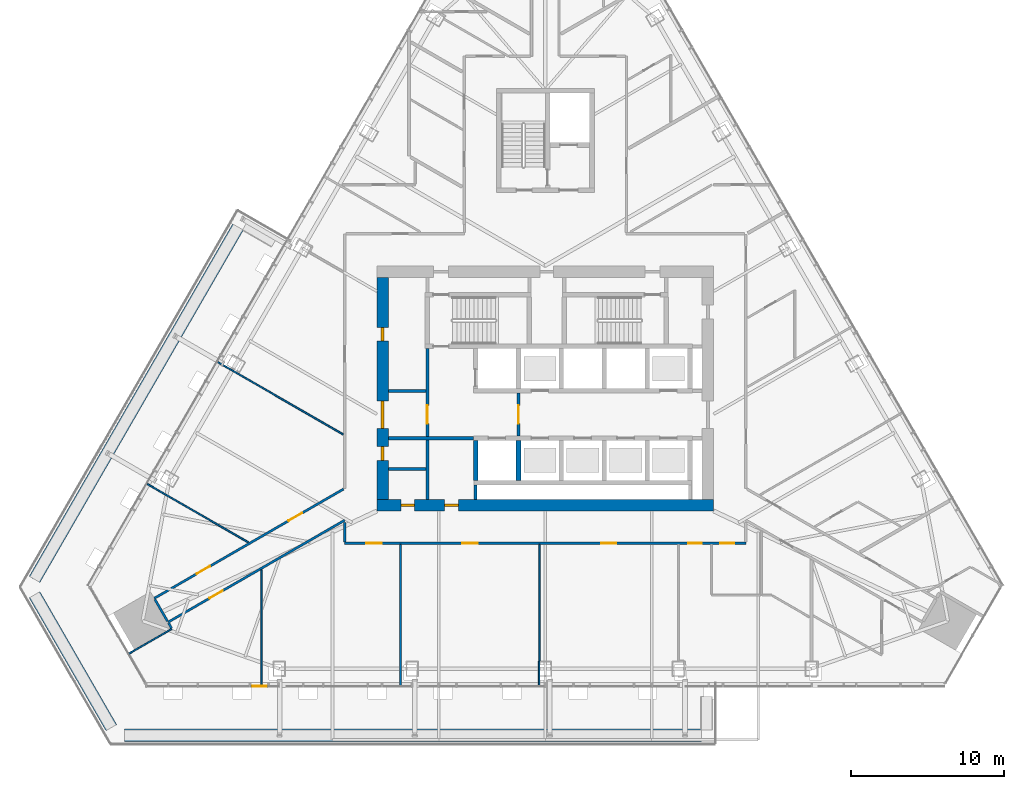
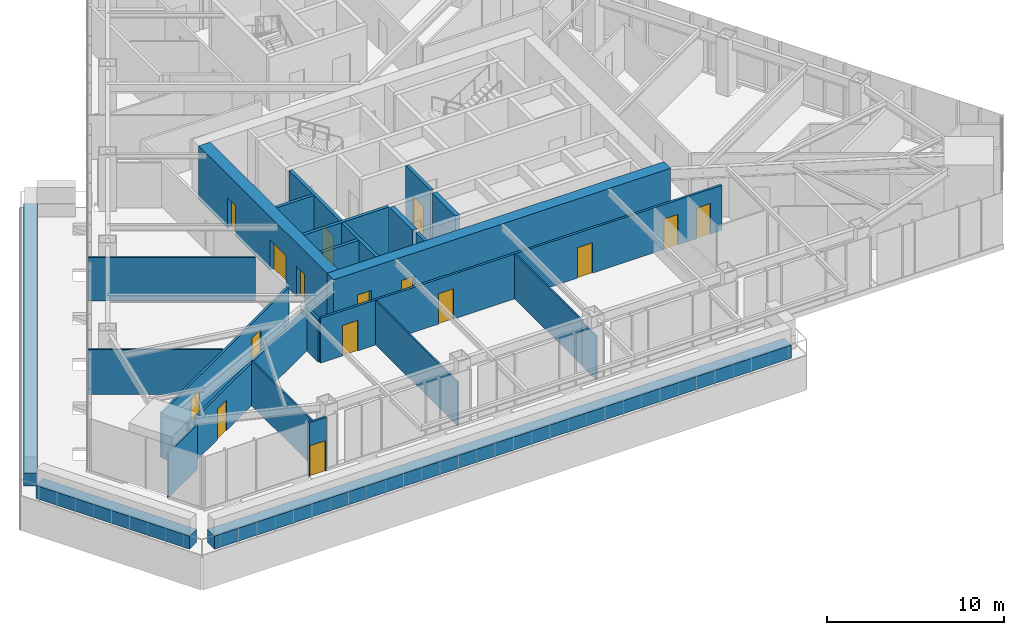
# One storey, part 15 of 23: 28 walls, 16 doors, 16 openings, 1 element without a shape of its own.
"""IFC4 building model written with IfcOpenShell, lengths in metres."""

from ifc_helpers import new_model, si_unit, direction, frame, frame_2d, origin, place, context, subcontext, project, spatial, rectangle, extrude, material, layer, layer_set, type_object, element, fill, aggregate, save


model = new_model("IFC4")

# Units and contexts
model_context = context("Model", 3, precision=1e-05, world=origin(), true_north=direction((0.0, 1.0)))
body_context = subcontext(model_context, "Body", "Model", "MODEL_VIEW")
ifc_project = project(units=[si_unit("LENGTHUNIT", "METRE"), si_unit("AREAUNIT", "SQUARE_METRE"), si_unit("VOLUMEUNIT", "CUBIC_METRE"), si_unit("PLANEANGLEUNIT", "RADIAN"), si_unit("MASSUNIT", "GRAM", prefix="KILO")], contexts=[model_context])

# Site, building, storey
site_placement = place(None, origin())
site = spatial("IfcSite", under=ifc_project, at=site_placement, CompositionType="ELEMENT")
building_placement = place(site_placement, origin())
building = spatial("IfcBuilding", under=site, at=building_placement, Name="Firuza Gate Tower and Library", CompositionType="ELEMENT")
storey_placement = place(building_placement, frame((0.0, 0.0, 190.89990234375)))
storey = spatial("IfcBuildingStorey", under=building, at=storey_placement, Name="L44", CompositionType="ELEMENT", Elevation=190.89990234375)

# Walls
ifc_material_1 = material(Name="Plasterboard on steel studs", Category="steel")
ifc_layer_1 = layer(ifc_material_1, 0.199951171875)
ifc_layer_set_1 = layer_set([ifc_layer_1], Name="Core partition 200 EI 120")
wall_type_1 = type_object("IfcWallType", Name="Core partition 200 EI 120", PredefinedType="PARTITIONING", material=ifc_layer_set_1)
wall_1_placement = place(storey_placement, frame((64.75, 71.75, 0.0), z_axis=(0.0, 0.0, 1.0), x_axis=(1.0, 0.0, 0.0)))
element("IfcWall", 1, at=wall_1_placement, inside=storey, type_object=wall_type_1, Name="Core partition L44 2", PredefinedType="PARTITIONING", context=body_context, shape_type="SweptSolid", body=[
    extrude(rectangle(XDim=5.550048828125, YDim=0.199951171875, at=frame_2d((2.77490234375, 0.0))), origin(), (0.0, 0.0, 1.0), 3.7001953125),
])
wall_2_placement = place(storey_placement, frame((64.75, 74.85009765625, 0.0), z_axis=(0.0, 0.0, 1.0), x_axis=(1.0, 0.0, 0.0)))
element("IfcWall", 2, at=wall_2_placement, inside=storey, type_object=wall_type_1, Name="Core partition L44 4", PredefinedType="PARTITIONING", context=body_context, shape_type="SweptSolid", body=[
    extrude(rectangle(XDim=2.449951171875, YDim=0.199951171875, at=frame_2d((1.22509765625, 0.0))), origin(), (0.0, 0.0, 1.0), 3.7001953125),
])
wall_3_placement = place(storey_placement, frame((67.300048828125, 67.75, 0.0), z_axis=(0.0, 0.0, 1.0), x_axis=(0.0, 1.0, 0.0)))
element("IfcWall", 3, at=wall_3_placement, inside=storey, type_object=wall_type_1, Name="Core partition L44 7", PredefinedType="PARTITIONING", context=body_context, shape_type="SweptSolid", body=[
    extrude(rectangle(XDim=3.89990234375, YDim=0.199951171875, at=frame_2d((1.949951171875, 0.0))), origin(), (0.0, 0.0, 1.0), 3.7001953125),
])

# Wall, opening, door
wall_4_placement = place(storey_placement, frame((67.300048828125, 71.85009765625, 0.0), z_axis=(0.0, 0.0, 1.0), x_axis=(0.0, 1.0, 0.0)))
wall_4 = element("IfcWall", 4, at=wall_4_placement, inside=storey, type_object=wall_type_1, Name="Core partition L44 8", PredefinedType="PARTITIONING", context=body_context, shape_type="SweptSolid", body=[
    extrude(rectangle(XDim=5.75, YDim=0.199951171875, at=frame_2d((2.875, 0.0))), origin(), (0.0, 0.0, 1.0), 3.7001953125),
])
opening_1_placement = place(wall_4_placement, frame((0.85009765625, 0.0, 0.0)))
opening_1 = element("IfcOpeningElement", 5, at=opening_1_placement, cuts=wall_4, Name="Opening L44-K19", PredefinedType="OPENING", context=body_context, shape_type="SweptSolid", body=[
    extrude(rectangle(XDim=1.199951171875, YDim=2.10009765625, at=frame_2d((0.60009765625, 1.050048828125))), frame((0.0, 0.10986328125, 0.0), z_axis=(0.0, -1.0, 0.0), x_axis=(1.0, 0.0, 0.0)), (0.0, 0.0, 1.0), 0.219970703125),
])
ifc_material_2 = material(Name="Steel", Category="steel")
door_type_1 = type_object("IfcDoorType", Name="Fire door 1200x2100 FD90S", OperationType="NOTDEFINED", PredefinedType="DOOR", material=ifc_material_2)
door_1_placement = place(opening_1_placement, origin())
door_1 = element("IfcDoor", 6, at=door_1_placement, inside=storey, type_object=door_type_1, Name="Door L44-K19", OperationType="SINGLE_SWING_RIGHT", OverallHeight=2.10009765625, OverallWidth=1.199951171875, PredefinedType="DOOR", context=body_context, shape_type="SweptSolid", body=[
    extrude(rectangle(XDim=1.199951171875, YDim=2.10009765625, at=frame_2d((0.60009765625, 1.050048828125))), frame((0.0, 0.02490234375, 0.0), z_axis=(0.0, -1.0, 0.0), x_axis=(1.0, 0.0, 0.0)), (0.0, 0.0, 1.0), 0.050048828125),
])
fill(opening_1, door_1)

# Walls
wall_5_placement = place(storey_placement, frame((70.449951171875, 67.75, 0.0), z_axis=(0.0, 0.0, 1.0), x_axis=(0.0, 1.0, 0.0)))
element("IfcWall", 7, at=wall_5_placement, inside=storey, type_object=wall_type_1, Name="Core partition L44 10", PredefinedType="PARTITIONING", context=body_context, shape_type="SweptSolid", body=[
    extrude(rectangle(XDim=0.949951171875, YDim=0.199951171875, at=frame_2d((0.47509765625, 0.0))), origin(), (0.0, 0.0, 1.0), 3.7001953125),
])
ifc_material_3 = material(Name="Plasterboard on steel studs", Category="steel")
ifc_layer_2 = layer(ifc_material_3, 0.199951171875)
ifc_layer_set_2 = layer_set([ifc_layer_2], Name="Core partition 200 EI 60")
wall_type_2 = type_object("IfcWallType", Name="Core partition 200 EI 60", PredefinedType="PARTITIONING", material=ifc_layer_set_2)
wall_6_placement = place(storey_placement, frame((64.75, 69.75, 0.0), z_axis=(0.0, 0.0, 1.0), x_axis=(1.0, 0.0, 0.0)))
element("IfcWall", 8, at=wall_6_placement, inside=storey, type_object=wall_type_2, Name="Core partition L44 1", PredefinedType="PARTITIONING", context=body_context, shape_type="SweptSolid", body=[
    extrude(rectangle(XDim=2.449951171875, YDim=0.199951171875, at=frame_2d((1.22509765625, 0.0))), origin(), (0.0, 0.0, 1.0), 3.7001953125),
])

# Wall, opening, door
wall_7_placement = place(storey_placement, frame((73.25, 71.89990234375, 0.0), z_axis=(0.0, 0.0, 1.0), x_axis=(0.0, 1.0, 0.0)))
wall_7 = element("IfcWall", 9, at=wall_7_placement, inside=storey, type_object=wall_type_2, Name="Core partition L44 11", PredefinedType="PARTITIONING", context=body_context, shape_type="SweptSolid", body=[
    extrude(rectangle(XDim=2.800048828125, YDim=0.199951171875, at=frame_2d((1.39990234375, 0.0))), origin(), (0.0, 0.0, 1.0), 3.7001953125),
])
opening_2_placement = place(wall_7_placement, frame((0.800048828125, 0.0, 0.0)))
opening_2 = element("IfcOpeningElement", 10, at=opening_2_placement, cuts=wall_7, Name="Opening L44-K18", PredefinedType="OPENING", context=body_context, shape_type="SweptSolid", body=[
    extrude(rectangle(XDim=1.199951171875, YDim=2.10009765625, at=frame_2d((0.60009765625, 1.050048828125))), frame((0.0, 0.10986328125, 0.0), z_axis=(0.0, -1.0, 0.0), x_axis=(1.0, 0.0, 0.0)), (0.0, 0.0, 1.0), 0.219970703125),
])
door_2_placement = place(opening_2_placement, origin())
door_2 = element("IfcDoor", 11, at=door_2_placement, inside=storey, type_object=door_type_1, Name="Door L44-K18", OperationType="SINGLE_SWING_LEFT", OverallHeight=2.10009765625, OverallWidth=1.199951171875, PredefinedType="DOOR", context=body_context, shape_type="SweptSolid", body=[
    extrude(rectangle(XDim=1.199951171875, YDim=2.10009765625, at=frame_2d((0.60009765625, 1.050048828125))), frame((0.0, 0.02490234375, 0.0), z_axis=(0.0, -1.0, 0.0), x_axis=(1.0, 0.0, 0.0)), (0.0, 0.0, 1.0), 0.050048828125),
])
fill(opening_2, door_2)

# Walls
ifc_material_4 = material(Name="Concrete C80/95", Category="concrete")
ifc_layer_3 = layer(ifc_material_4, 0.300048828125)
ifc_layer_set_3 = layer_set([ifc_layer_3], Name="Core wall 300 C80/95")
wall_type_3 = type_object("IfcWallType", Name="Core wall 300 C80/95", PredefinedType="SHEAR", material=ifc_layer_set_3)
for number, where, z_axis, x_axis, name in (
    (12, (70.449951171875, 69.0, 0.0), (0.0, 0.0, 1.0), (0.0, 1.0, 0.0), "Core wall L44 8"),
    (13, (73.25, 69.0, 0.0), (0.0, 0.0, 1.0), (0.0, 1.0, 0.0), "Core wall L44 10"),
):
    element("IfcWall", number, at=place(storey_placement, frame(where, z_axis=z_axis, x_axis=x_axis)), inside=storey, type_object=wall_type_3, Name=name, PredefinedType="SHEAR", context=body_context, shape_type="SweptSolid", body=[
        extrude(rectangle(XDim=2.60009765625, YDim=0.300048828125, at=frame_2d((1.300048828125, 0.0))), origin(), (0.0, 0.0, 1.0), 3.7001953125),
    ])

# Wall, openings, doors
ifc_material_5 = material(Name="Concrete C80/95", Category="concrete")
ifc_layer_4 = layer(ifc_material_5, 0.75)
ifc_layer_set_4 = layer_set([ifc_layer_4], Name="Core wall 750 C80/95")
wall_type_4 = type_object("IfcWallType", Name="Core wall 750 C80/95", PredefinedType="SHEAR", material=ifc_layer_set_4)
wall_8_placement = place(storey_placement, frame((64.0, 67.375, 0.0), z_axis=(0.0, 0.0, 1.0), x_axis=(1.0, 0.0, 0.0)))
wall_8 = element("IfcWall", 14, at=wall_8_placement, inside=storey, type_object=wall_type_4, Name="Core wall L44 1", PredefinedType="SHEAR", context=body_context, shape_type="SweptSolid", body=[
    extrude(rectangle(XDim=22.0, YDim=0.75, at=frame_2d((11.0, 0.0))), origin(), (0.0, 0.0, 1.0), 3.7001953125),
])
opening_3_placement = place(wall_8_placement, frame((1.574951171875, 0.0, 0.0)))
opening_3 = element("IfcOpeningElement", 15, at=opening_3_placement, cuts=wall_8, Name="Opening L44-K22", PredefinedType="OPENING", context=body_context, shape_type="SweptSolid", body=[
    extrude(rectangle(XDim=0.89990234375, YDim=2.10009765625, at=frame_2d((0.449951171875, 1.050048828125))), frame((0.0, 0.385009765625, 0.0), z_axis=(0.0, -1.0, 0.0), x_axis=(1.0, 0.0, 0.0)), (0.0, 0.0, 1.0), 0.77001953125),
])
opening_4_placement = place(wall_8_placement, frame((4.425048828125, 0.0, 0.0)))
opening_4 = element("IfcOpeningElement", 16, at=opening_4_placement, cuts=wall_8, Name="Opening L44-K24", PredefinedType="OPENING", context=body_context, shape_type="SweptSolid", body=[
    extrude(rectangle(XDim=0.89990234375, YDim=2.10009765625, at=frame_2d((0.449951171875, 1.050048828125))), frame((0.0, 0.385009765625, 0.0), z_axis=(0.0, -1.0, 0.0), x_axis=(1.0, 0.0, 0.0)), (0.0, 0.0, 1.0), 0.77001953125),
])
ifc_material_6 = material(Name="Steel", Category="steel")
door_type_2 = type_object("IfcDoorType", Name="Fire door 900x2100 FD30S", OperationType="NOTDEFINED", PredefinedType="DOOR", material=ifc_material_6)
door_3_placement = place(opening_3_placement, origin())
door_3 = element("IfcDoor", 17, at=door_3_placement, inside=storey, type_object=door_type_2, Name="Door L44-K22", OperationType="SINGLE_SWING_LEFT", OverallHeight=2.10009765625, OverallWidth=0.89990234375, PredefinedType="DOOR", context=body_context, shape_type="SweptSolid", body=[
    extrude(rectangle(XDim=0.89990234375, YDim=2.10009765625, at=frame_2d((0.449951171875, 1.050048828125))), frame((0.0, 0.094970703125, 0.0), z_axis=(0.0, -1.0, 0.0), x_axis=(1.0, 0.0, 0.0)), (0.0, 0.0, 1.0), 0.18994140625),
])
fill(opening_3, door_3)
door_4_placement = place(opening_4_placement, origin())
door_4 = element("IfcDoor", 18, at=door_4_placement, inside=storey, type_object=door_type_2, Name="Door L44-K24", OperationType="SINGLE_SWING_LEFT", OverallHeight=2.10009765625, OverallWidth=0.89990234375, PredefinedType="DOOR", context=body_context, shape_type="SweptSolid", body=[
    extrude(rectangle(XDim=0.89990234375, YDim=2.10009765625, at=frame_2d((0.449951171875, 1.050048828125))), frame((0.0, 0.094970703125, 0.0), z_axis=(0.0, -1.0, 0.0), x_axis=(1.0, 0.0, 0.0)), (0.0, 0.0, 1.0), 0.18994140625),
])
fill(opening_4, door_4)

wall_9_placement = place(storey_placement, frame((64.375, 67.75, 0.0), z_axis=(0.0, 0.0, 1.0), x_axis=(0.0, 1.0, 0.0)))
wall_9 = element("IfcWall", 19, at=wall_9_placement, inside=storey, type_object=wall_type_4, Name="Core wall L44 3", PredefinedType="SHEAR", context=body_context, shape_type="SweptSolid", body=[
    extrude(rectangle(XDim=14.5, YDim=0.75, at=frame_2d((7.25, 0.0))), origin(), (0.0, 0.0, 1.0), 3.7001953125),
])
opening_5_placement = place(wall_9_placement, frame((4.64990234375, 0.0, 0.0)))
opening_5 = element("IfcOpeningElement", 20, at=opening_5_placement, cuts=wall_9, Name="Opening L44-K20", PredefinedType="OPENING", context=body_context, shape_type="SweptSolid", body=[
    extrude(rectangle(XDim=1.800048828125, YDim=2.10009765625, at=frame_2d((0.89990234375, 1.050048828125))), frame((0.0, 0.385009765625, 0.0), z_axis=(0.0, -1.0, 0.0), x_axis=(1.0, 0.0, 0.0)), (0.0, 0.0, 1.0), 0.77001953125),
])
opening_6_placement = place(wall_9_placement, frame((2.550048828125, 0.0, 0.0)))
opening_6 = element("IfcOpeningElement", 21, at=opening_6_placement, cuts=wall_9, Name="Opening L44-K23", PredefinedType="OPENING", context=body_context, shape_type="SweptSolid", body=[
    extrude(rectangle(XDim=0.89990234375, YDim=2.10009765625, at=frame_2d((0.449951171875, 1.050048828125))), frame((0.0, 0.385009765625, 0.0), z_axis=(0.0, -1.0, 0.0), x_axis=(1.0, 0.0, 0.0)), (0.0, 0.0, 1.0), 0.77001953125),
])
opening_7_placement = place(wall_9_placement, frame((10.35009765625, 0.0, 0.0)))
opening_7 = element("IfcOpeningElement", 22, at=opening_7_placement, cuts=wall_9, Name="Opening L44-K25", PredefinedType="OPENING", context=body_context, shape_type="SweptSolid", body=[
    extrude(rectangle(XDim=0.89990234375, YDim=2.10009765625, at=frame_2d((0.449951171875, 1.050048828125))), frame((0.0, 0.385009765625, 0.0), z_axis=(0.0, -1.0, 0.0), x_axis=(1.0, 0.0, 0.0)), (0.0, 0.0, 1.0), 0.77001953125),
])
ifc_material_7 = material(Name="Steel", Category="steel")
door_type_3 = type_object("IfcDoorType", Name="Fire door 1800x2100 FD30S", OperationType="NOTDEFINED", PredefinedType="DOOR", material=ifc_material_7)
door_5_placement = place(opening_5_placement, origin())
door_5 = element("IfcDoor", 23, at=door_5_placement, inside=storey, type_object=door_type_3, Name="Door L44-K20", OperationType="SINGLE_SWING_LEFT", OverallHeight=2.10009765625, OverallWidth=1.800048828125, PredefinedType="DOOR", context=body_context, shape_type="SweptSolid", body=[
    extrude(rectangle(XDim=1.800048828125, YDim=2.10009765625, at=frame_2d((0.89990234375, 1.050048828125))), frame((0.0, 0.094970703125, 0.0), z_axis=(0.0, -1.0, 0.0), x_axis=(1.0, 0.0, 0.0)), (0.0, 0.0, 1.0), 0.18994140625),
])
fill(opening_5, door_5)
door_6_placement = place(opening_6_placement, origin())
door_6 = element("IfcDoor", 24, at=door_6_placement, inside=storey, type_object=door_type_2, Name="Door L44-K23", OperationType="SINGLE_SWING_RIGHT", OverallHeight=2.10009765625, OverallWidth=0.89990234375, PredefinedType="DOOR", context=body_context, shape_type="SweptSolid", body=[
    extrude(rectangle(XDim=0.89990234375, YDim=2.10009765625, at=frame_2d((0.449951171875, 1.050048828125))), frame((0.0, 0.094970703125, 0.0), z_axis=(0.0, -1.0, 0.0), x_axis=(1.0, 0.0, 0.0)), (0.0, 0.0, 1.0), 0.18994140625),
])
fill(opening_6, door_6)
door_7_placement = place(opening_7_placement, origin())
door_7 = element("IfcDoor", 25, at=door_7_placement, inside=storey, type_object=door_type_2, Name="Door L44-K25", OperationType="SINGLE_SWING_RIGHT", OverallHeight=2.10009765625, OverallWidth=0.89990234375, PredefinedType="DOOR", context=body_context, shape_type="SweptSolid", body=[
    extrude(rectangle(XDim=0.89990234375, YDim=2.10009765625, at=frame_2d((0.449951171875, 1.050048828125))), frame((0.0, 0.094970703125, 0.0), z_axis=(0.0, -1.0, 0.0), x_axis=(1.0, 0.0, 0.0)), (0.0, 0.0, 1.0), 0.18994140625),
])
fill(opening_7, door_7)

ifc_material_8 = material(Name="Gypsum board partition")
ifc_layer_5 = layer(ifc_material_8, 0.14990234375)
ifc_layer_set_5 = layer_set([ifc_layer_5], Name="Corridor wall 150 double board on steel studs")
wall_type_5 = type_object("IfcWallType", Name="Corridor wall 150 double board on steel studs", PredefinedType="PARTITIONING", material=ifc_layer_set_5)
wall_10_placement = place(storey_placement, frame((88.10009765625, 64.89990234375, 0.0), z_axis=(0.0, 0.0, 1.0), x_axis=(-1.0, 0.0, 0.0)))
wall_10 = element("IfcWall", 26, at=wall_10_placement, inside=storey, type_object=wall_type_5, Name="f:L44:w004", PredefinedType="PARTITIONING", context=body_context, shape_type="SweptSolid", body=[
    extrude(rectangle(XDim=26.19970703125, YDim=0.14990234375, at=frame_2d((13.099853515625, 0.0))), origin(), (0.0, 0.0, 1.0), 3.10009765625),
])
opening_8_placement = place(wall_10_placement, frame((0.77294921875, 0.0, 0.0)))
opening_8 = element("IfcOpeningElement", 27, at=opening_8_placement, cuts=wall_10, Name="Opening L44-01", PredefinedType="OPENING", context=body_context, shape_type="SweptSolid", body=[
    extrude(rectangle(XDim=0.89990234375, YDim=2.10009765625, at=frame_2d((0.449951171875, 1.050048828125))), frame((0.0, 0.0849609375, 0.0), z_axis=(0.0, -1.0, 0.0), x_axis=(1.0, 0.0, 0.0)), (0.0, 0.0, 1.0), 0.169921875),
])
opening_9_placement = place(wall_10_placement, frame((2.87841796875, 0.0, 0.0)))
opening_9 = element("IfcOpeningElement", 28, at=opening_9_placement, cuts=wall_10, Name="Opening L44-02", PredefinedType="OPENING", context=body_context, shape_type="SweptSolid", body=[
    extrude(rectangle(XDim=0.89990234375, YDim=2.10009765625, at=frame_2d((0.449951171875, 1.050048828125))), frame((0.0, 0.0849609375, 0.0), z_axis=(0.0, -1.0, 0.0), x_axis=(1.0, 0.0, 0.0)), (0.0, 0.0, 1.0), 0.169921875),
])
opening_10_placement = place(wall_10_placement, frame((8.44970703125, 0.0, 0.0)))
opening_10 = element("IfcOpeningElement", 29, at=opening_10_placement, cuts=wall_10, Name="Opening L44-03", PredefinedType="OPENING", context=body_context, shape_type="SweptSolid", body=[
    extrude(rectangle(XDim=1.0, YDim=2.10009765625, at=frame_2d((0.5, 1.050048828125))), frame((0.0, 0.0849609375, 0.0), z_axis=(0.0, -1.0, 0.0), x_axis=(1.0, 0.0, 0.0)), (0.0, 0.0, 1.0), 0.169921875),
])
opening_11_placement = place(wall_10_placement, frame((17.5205078125, 0.0, 0.0)))
opening_11 = element("IfcOpeningElement", 30, at=opening_11_placement, cuts=wall_10, Name="Opening L44-04", PredefinedType="OPENING", context=body_context, shape_type="SweptSolid", body=[
    extrude(rectangle(XDim=1.0, YDim=2.10009765625, at=frame_2d((0.5, 1.050048828125))), frame((0.0, 0.0849609375, 0.0), z_axis=(0.0, -1.0, 0.0), x_axis=(1.0, 0.0, 0.0)), (0.0, 0.0, 1.0), 0.169921875),
])
opening_12_placement = place(wall_10_placement, frame((23.776123046875, 0.0, 0.0)))
opening_12 = element("IfcOpeningElement", 31, at=opening_12_placement, cuts=wall_10, Name="Opening L44-05", PredefinedType="OPENING", context=body_context, shape_type="SweptSolid", body=[
    extrude(rectangle(XDim=1.0, YDim=2.10009765625, at=frame_2d((0.5, 1.050048828125))), frame((0.0, 0.0849609375, 0.0), z_axis=(0.0, -1.0, 0.0), x_axis=(1.0, 0.0, 0.0)), (0.0, 0.0, 1.0), 0.169921875),
])
ifc_material_9 = material(Name="Steel door and timber leaf", Category="steel")
door_type_4 = type_object("IfcDoorType", Name="Fire door 1000 x 2100 steel frame, timber leaf", OperationType="NOTDEFINED", PredefinedType="DOOR", material=ifc_material_9)
door_8_placement = place(opening_10_placement, origin())
door_8 = element("IfcDoor", 32, at=door_8_placement, inside=storey, type_object=door_type_4, Name="f:L44:d003", OperationType="SINGLE_SWING_LEFT", OverallHeight=2.10009765625, OverallWidth=1.0, PredefinedType="DOOR", context=body_context, shape_type="SweptSolid", body=[
    extrude(rectangle(XDim=1.0, YDim=2.10009765625, at=frame_2d((0.5, 1.050048828125))), frame((0.0, 0.02490234375, 0.0), z_axis=(0.0, -1.0, 0.0), x_axis=(1.0, 0.0, 0.0)), (0.0, 0.0, 1.0), 0.050048828125),
])
fill(opening_10, door_8)
door_9_placement = place(opening_11_placement, origin())
door_9 = element("IfcDoor", 33, at=door_9_placement, inside=storey, type_object=door_type_4, Name="f:L44:d004", OperationType="SINGLE_SWING_RIGHT", OverallHeight=2.10009765625, OverallWidth=1.0, PredefinedType="DOOR", context=body_context, shape_type="SweptSolid", body=[
    extrude(rectangle(XDim=1.0, YDim=2.10009765625, at=frame_2d((0.5, 1.050048828125))), frame((0.0, 0.02490234375, 0.0), z_axis=(0.0, -1.0, 0.0), x_axis=(1.0, 0.0, 0.0)), (0.0, 0.0, 1.0), 0.050048828125),
])
fill(opening_11, door_9)
door_10_placement = place(opening_12_placement, origin())
door_10 = element("IfcDoor", 34, at=door_10_placement, inside=storey, type_object=door_type_4, Name="f:L44:d005", OperationType="SINGLE_SWING_LEFT", OverallHeight=2.10009765625, OverallWidth=1.0, PredefinedType="DOOR", context=body_context, shape_type="SweptSolid", body=[
    extrude(rectangle(XDim=1.0, YDim=2.10009765625, at=frame_2d((0.5, 1.050048828125))), frame((0.0, 0.02490234375, 0.0), z_axis=(0.0, -1.0, 0.0), x_axis=(1.0, 0.0, 0.0)), (0.0, 0.0, 1.0), 0.050048828125),
])
fill(opening_12, door_10)
ifc_material_10 = material(Name="Steel door and timber leaf", Category="steel")
door_type_5 = type_object("IfcDoorType", Name="Fire door 900 x 2100 steel frame, timber leaf", OperationType="NOTDEFINED", PredefinedType="DOOR", material=ifc_material_10)
door_11_placement = place(opening_8_placement, origin())
door_11 = element("IfcDoor", 35, at=door_11_placement, inside=storey, type_object=door_type_5, Name="f:L44:d001", OperationType="SINGLE_SWING_LEFT", OverallHeight=2.10009765625, OverallWidth=0.89990234375, PredefinedType="DOOR", context=body_context, shape_type="SweptSolid", body=[
    extrude(rectangle(XDim=0.89990234375, YDim=2.10009765625, at=frame_2d((0.449951171875, 1.050048828125))), frame((0.0, 0.02490234375, 0.0), z_axis=(0.0, -1.0, 0.0), x_axis=(1.0, 0.0, 0.0)), (0.0, 0.0, 1.0), 0.050048828125),
])
fill(opening_8, door_11)
door_12_placement = place(opening_9_placement, origin())
door_12 = element("IfcDoor", 36, at=door_12_placement, inside=storey, type_object=door_type_5, Name="f:L44:d002", OperationType="SINGLE_SWING_RIGHT", OverallHeight=2.10009765625, OverallWidth=0.89990234375, PredefinedType="DOOR", context=body_context, shape_type="SweptSolid", body=[
    extrude(rectangle(XDim=0.89990234375, YDim=2.10009765625, at=frame_2d((0.449951171875, 1.050048828125))), frame((0.0, 0.02490234375, 0.0), z_axis=(0.0, -1.0, 0.0), x_axis=(1.0, 0.0, 0.0)), (0.0, 0.0, 1.0), 0.050048828125),
])
fill(opening_9, door_12)

# Wall, opening, door
wall_11_placement = place(storey_placement, frame((61.89990234375, 66.3974609375, 0.0), z_axis=(0.0, 0.0, 1.0), x_axis=(-0.866028400299, -0.499994809849, 0.0)))
wall_11 = element("IfcWall", 37, at=wall_11_placement, inside=storey, type_object=wall_type_5, Name="f:L44:w020", PredefinedType="PARTITIONING", context=body_context, shape_type="SweptSolid", body=[
    extrude(rectangle(XDim=13.320556640625, YDim=0.14990234375, at=frame_2d((6.66015625, 0.0))), origin(), (0.0, 0.0, 1.0), 2.947021484375),
])
opening_13_placement = place(wall_11_placement, frame((9.19189453125, 0.0, 0.0)))
opening_13 = element("IfcOpeningElement", 38, at=opening_13_placement, cuts=wall_11, Name="Opening L44-15", PredefinedType="OPENING", context=body_context, shape_type="SweptSolid", body=[
    extrude(rectangle(XDim=1.0, YDim=2.10009765625, at=frame_2d((0.5, 1.050048828125))), frame((0.0, 0.0849609375, 0.0), z_axis=(0.0, -1.0, 0.0), x_axis=(1.0, 0.0, 0.0)), (0.0, 0.0, 1.0), 0.169921875),
])
door_13_placement = place(opening_13_placement, origin())
door_13 = element("IfcDoor", 39, at=door_13_placement, inside=storey, type_object=door_type_4, Name="f:L44:d015", OperationType="SINGLE_SWING_RIGHT", OverallHeight=2.10009765625, OverallWidth=1.0, PredefinedType="DOOR", context=body_context, shape_type="SweptSolid", body=[
    extrude(rectangle(XDim=1.0, YDim=2.10009765625, at=frame_2d((0.5, 1.050048828125))), frame((0.0, 0.02490234375, 0.0), z_axis=(0.0, -1.0, 0.0), x_axis=(1.0, 0.0, 0.0)), (0.0, 0.0, 1.0), 0.050048828125),
])
fill(opening_13, door_13)

# Wall, openings, doors
wall_12_placement = place(storey_placement, frame((49.46435546875, 61.29638671875, 0.0), z_axis=(0.0, 0.0, 1.0), x_axis=(0.866030342482, 0.499991445827, 0.0)))
wall_12 = element("IfcWall", 40, at=wall_12_placement, inside=storey, type_object=wall_type_5, Name="f:L44:w021", PredefinedType="PARTITIONING", context=body_context, shape_type="SweptSolid", body=[
    extrude(rectangle(XDim=14.272705078125, YDim=0.14990234375, at=frame_2d((7.13623046875, 0.0))), origin(), (0.0, 0.0, 1.0), 3.10009765625),
])
opening_14_placement = place(wall_12_placement, frame((3.20263671875, 0.0, 0.0)))
opening_14 = element("IfcOpeningElement", 41, at=opening_14_placement, cuts=wall_12, Name="Opening L44-16", PredefinedType="OPENING", context=body_context, shape_type="SweptSolid", body=[
    extrude(rectangle(XDim=1.0, YDim=2.10009765625, at=frame_2d((0.5, 1.050048828125))), frame((0.0, 0.0849609375, 0.0), z_axis=(0.0, -1.0, 0.0), x_axis=(1.0, 0.0, 0.0)), (0.0, 0.0, 1.0), 0.169921875),
])
opening_15_placement = place(wall_12_placement, frame((10.1357421875, 0.0, 0.0)))
opening_15 = element("IfcOpeningElement", 42, at=opening_15_placement, cuts=wall_12, Name="Opening L44-17", PredefinedType="OPENING", context=body_context, shape_type="SweptSolid", body=[
    extrude(rectangle(XDim=1.0, YDim=2.10009765625, at=frame_2d((0.5, 1.050048828125))), frame((0.0, 0.0849609375, 0.0), z_axis=(0.0, -1.0, 0.0), x_axis=(1.0, 0.0, 0.0)), (0.0, 0.0, 1.0), 0.169921875),
])
door_14_placement = place(opening_14_placement, origin())
door_14 = element("IfcDoor", 43, at=door_14_placement, inside=storey, type_object=door_type_4, Name="f:L44:d016", OperationType="SINGLE_SWING_LEFT", OverallHeight=2.10009765625, OverallWidth=1.0, PredefinedType="DOOR", context=body_context, shape_type="SweptSolid", body=[
    extrude(rectangle(XDim=1.0, YDim=2.10009765625, at=frame_2d((0.5, 1.050048828125))), frame((0.0, 0.02490234375, 0.0), z_axis=(0.0, -1.0, 0.0), x_axis=(1.0, 0.0, 0.0)), (0.0, 0.0, 1.0), 0.050048828125),
])
fill(opening_14, door_14)
door_15_placement = place(opening_15_placement, origin())
door_15 = element("IfcDoor", 44, at=door_15_placement, inside=storey, type_object=door_type_4, Name="f:L44:d017", OperationType="SINGLE_SWING_RIGHT", OverallHeight=2.10009765625, OverallWidth=1.0, PredefinedType="DOOR", context=body_context, shape_type="SweptSolid", body=[
    extrude(rectangle(XDim=1.0, YDim=2.10009765625, at=frame_2d((0.5, 1.050048828125))), frame((0.0, 0.02490234375, 0.0), z_axis=(0.0, -1.0, 0.0), x_axis=(1.0, 0.0, 0.0)), (0.0, 0.0, 1.0), 0.050048828125),
])
fill(opening_15, door_15)

# Walls
wall_13_placement = place(storey_placement, frame((61.89990234375, 64.9755859375, 0.0), z_axis=(0.0, 0.0, 1.0), x_axis=(0.0, 1.0, 0.0)))
element("IfcWall", 45, at=wall_13_placement, inside=storey, type_object=wall_type_5, Name="f:L44:w056", PredefinedType="PARTITIONING", context=body_context, shape_type="SweptSolid", body=[
    extrude(rectangle(XDim=1.285400390625, YDim=0.14990234375, at=frame_2d((0.642578125, 0.0))), origin(), (0.0, 0.0, 1.0), 2.947021484375),
])
wall_14_placement = place(storey_placement, frame((50.588623046875, 59.347900390625, 0.0), z_axis=(0.0, 0.0, 1.0), x_axis=(-0.499854089722, 0.866109628736, 0.0)))
element("IfcWall", 46, at=wall_14_placement, inside=storey, type_object=wall_type_5, Name="f:L44:w059", PredefinedType="PARTITIONING", context=body_context, shape_type="SweptSolid", body=[
    extrude(rectangle(XDim=0.37451171875, YDim=0.14990234375, at=frame_2d((0.187255859375, 0.0))), origin(), (0.0, 0.0, 1.0), 3.10009765625),
])
wall_15_placement = place(storey_placement, frame((50.326416015625, 59.80224609375, 0.0), z_axis=(0.0, 0.0, 1.0), x_axis=(-0.500055614084, 0.865993292597, 0.0)))
element("IfcWall", 47, at=wall_15_placement, inside=storey, type_object=wall_type_5, Name="f:L44:w082", PredefinedType="PARTITIONING", context=body_context, shape_type="SweptSolid", body=[
    extrude(rectangle(XDim=1.649169921875, YDim=0.14990234375, at=frame_2d((0.82470703125, 0.0))), origin(), (0.0, 0.0, 1.0), 2.947021484375),
])
ifc_material_11 = material(Name="Gypsum board partition")
ifc_layer_6 = layer(ifc_material_11, 0.10009765625)
ifc_layer_set_6 = layer_set([ifc_layer_6], Name="Partition 100 gypsum board on steel studs")
wall_type_6 = type_object("IfcWallType", Name="Partition 100 gypsum board on steel studs", PredefinedType="PARTITIONING", material=ifc_layer_set_6)
wall_16_placement = place(storey_placement, frame((47.79052734375, 57.67431640625, 0.0), z_axis=(0.0, 0.0, 1.0), x_axis=(0.866054628924, 0.499949377157, 0.0)))
element("IfcWall", 48, at=wall_16_placement, inside=storey, type_object=wall_type_6, Name="f:L44:w019", PredefinedType="PARTITIONING", context=body_context, shape_type="SweptSolid", body=[
    extrude(rectangle(XDim=3.259521484375, YDim=0.10009765625, at=frame_2d((1.6298828125, 0.0))), origin(), (0.0, 0.0, 1.0), 3.10009765625),
])
wall_17_placement = place(storey_placement, frame((74.614990234375, 57.199462890625, 0.0), z_axis=(0.0, 0.0, 1.0), x_axis=(0.0, 1.0, 0.0)))
element("IfcWall", 49, at=wall_17_placement, inside=storey, type_object=wall_type_6, Name="f:L44:w046", PredefinedType="PARTITIONING", context=body_context, shape_type="SweptSolid", body=[
    extrude(rectangle(XDim=7.62548828125, YDim=0.10009765625, at=frame_2d((3.812744140625, 0.0))), origin(), (0.0, 0.0, 1.0), 3.10009765625),
])
wall_18_placement = place(storey_placement, frame((74.60009765625, 55.598876953125, 0.0), z_axis=(0.0, 0.0, 1.0), x_axis=(0.0, 1.0, 0.0)))
element("IfcWall", 50, at=wall_18_placement, inside=storey, type_object=wall_type_6, Name="f:L44:w047", PredefinedType="PARTITIONING", context=body_context, shape_type="SweptSolid", body=[
    extrude(rectangle(XDim=1.599365234375, YDim=0.10009765625, at=frame_2d((0.7998046875, 0.0))), origin(), (0.0, 0.0, 1.0), 3.022216796875),
])
wall_19_placement = place(storey_placement, frame((65.5439453125, 55.598876953125, 0.0), z_axis=(0.0, 0.0, 1.0), x_axis=(0.0, 1.0, 0.0)))
element("IfcWall", 51, at=wall_19_placement, inside=storey, type_object=wall_type_6, Name="f:L44:w055", PredefinedType="PARTITIONING", context=body_context, shape_type="SweptSolid", body=[
    extrude(rectangle(XDim=9.22607421875, YDim=0.10009765625, at=frame_2d((4.613037109375, 0.0))), origin(), (0.0, 0.0, 1.0), 3.022216796875),
])
wall_20_placement = place(storey_placement, frame((56.472900390625, 55.673828125, 0.0), z_axis=(0.0, 0.0, 1.0), x_axis=(0.0, 1.0, 0.0)))
element("IfcWall", 52, at=wall_20_placement, inside=storey, type_object=wall_type_6, Name="f:L44:w058", PredefinedType="PARTITIONING", context=body_context, shape_type="SweptSolid", body=[
    extrude(rectangle(XDim=7.473876953125, YDim=0.10009765625, at=frame_2d((3.73681640625, 0.0))), origin(), (0.0, 0.0, 1.0), 3.10009765625),
])
wall_21_placement = place(storey_placement, frame((61.799072265625, 71.99951171875, 0.0), z_axis=(0.0, 0.0, 1.0), x_axis=(-0.866021141126, 0.500007383068, 0.0)))
element("IfcWall", 53, at=wall_21_placement, inside=storey, type_object=wall_type_6, Name="f:L44:w077", PredefinedType="PARTITIONING", context=body_context, shape_type="SweptSolid", body=[
    extrude(rectangle(XDim=9.468994140625, YDim=0.10009765625, at=frame_2d((4.734375, 0.0))), origin(), (0.0, 0.0, 1.0), 3.022216796875),
])
wall_22_placement = place(storey_placement, frame((55.600830078125, 64.9560546875, 0.0), z_axis=(0.0, 0.0, 1.0), x_axis=(-0.866019180744, 0.500010778468, 0.0)))
element("IfcWall", 54, at=wall_22_placement, inside=storey, type_object=wall_type_6, Name="f:L44:w078", PredefinedType="PARTITIONING", context=body_context, shape_type="SweptSolid", body=[
    extrude(rectangle(XDim=7.622802734375, YDim=0.10009765625, at=frame_2d((3.8115234375, 0.0))), origin(), (0.0, 0.0, 1.0), 3.10009765625),
])
ifc_material_12 = material(Name="Concrete C40/50", Category="concrete")
ifc_layer_7 = layer(ifc_material_12, 0.800048828125)
ifc_layer_set_7 = layer_set([ifc_layer_7], Name="Planter wall 800")
wall_type_7 = type_object("IfcWallType", Name="Planter wall 800", PredefinedType="SOLIDWALL", material=ifc_layer_set_7)
wall_23_placement = place(storey_placement, frame((54.93359375, 85.546142578125, 0.0), z_axis=(0.0, 0.0, 1.0), x_axis=(-0.500000606393, -0.866025053683, 0.0)))
element("IfcWall", 55, at=wall_23_placement, inside=storey, type_object=wall_type_7, Name="PLANTER L44 2", PredefinedType="SOLIDWALL", context=body_context, shape_type="SweptSolid", body=[
    extrude(rectangle(XDim=26.56689453125, YDim=0.800048828125, at=frame_2d((13.283447265625, 0.0))), origin(), (0.0, 0.0, 1.0), 0.900146484375),
])
wall_24_placement = place(storey_placement, frame((41.650146484375, 61.52978515625, 0.0), z_axis=(0.0, 0.0, 1.0), x_axis=(0.50001002959, -0.86601961312, 0.0)))
element("IfcWall", 56, at=wall_24_placement, inside=storey, type_object=wall_type_7, Name="PLANTER L44 3", PredefinedType="SOLIDWALL", context=body_context, shape_type="SweptSolid", body=[
    extrude(rectangle(XDim=10.018798828125, YDim=0.800048828125, at=frame_2d((5.00927734375, 0.0))), origin(), (0.0, 0.0, 1.0), 0.900146484375),
])
wall_25_placement = place(storey_placement, frame((47.533203125, 52.348876953125, 0.0), z_axis=(0.0, 0.0, 1.0), x_axis=(1.0, 0.0, 0.0)))
element("IfcWall", 57, at=wall_25_placement, inside=storey, type_object=wall_type_7, Name="PLANTER L44 4", PredefinedType="SOLIDWALL", context=body_context, shape_type="SweptSolid", body=[
    extrude(rectangle(XDim=37.652587890625, YDim=0.800048828125, at=frame_2d((18.826171875, 0.0))), origin(), (0.0, 0.0, 1.0), 0.900146484375),
])

# Curtain wall, wall, opening, door
ifc_material_13 = material(Name="Aluminium 6063-T6", Category="aluminium")
ifc_layer_8 = layer(ifc_material_13, 0.14990234375)
ifc_layer_set_8 = layer_set([ifc_layer_8], Name="Unitised curtain wall, hotel")
curtain_wall_type = type_object("IfcCurtainWallType", Name="Unitised curtain wall, hotel", PredefinedType="NOTDEFINED", material=ifc_layer_set_8)
curtain_wall_placement = place(storey_placement, origin())
curtain_wall = element("IfcCurtainWall", 58, at=curtain_wall_placement, inside=storey, type_object=curtain_wall_type, Name="CW2 L44 S face", PredefinedType="NOTDEFINED")
ifc_material_14 = material(Name="Aluminium 6063-T6", Category="aluminium")
ifc_layer_9 = layer(ifc_material_14, 0.14990234375)
ifc_layer_set_9 = layer_set([ifc_layer_9], Name="Terrace door wall 150")
wall_type_8 = type_object("IfcWallType", Name="Terrace door wall 150", PredefinedType="SOLIDWALL", material=ifc_layer_set_9)
wall_26_placement = place(storey_placement, frame((55.75927734375, 55.553955078125, 0.0), z_axis=(0.0, 0.0, 1.0), x_axis=(1.0, 0.0, 0.0)))
wall_26 = element("IfcWall", 59, at=wall_26_placement, type_object=wall_type_8, Name="Terrace door wall", PredefinedType="SOLIDWALL", context=body_context, shape_type="SweptSolid", body=[
    extrude(rectangle(XDim=1.1201171875, YDim=0.14990234375, at=frame_2d((0.56005859375, 0.0))), origin(), (0.0, 0.0, 1.0), 3.7001953125),
])
opening_16_placement = place(wall_26_placement, frame((0.06005859375, 0.0, 0.0)))
opening_16 = element("IfcOpeningElement", 60, at=opening_16_placement, cuts=wall_26, Name="Opening DR6", PredefinedType="OPENING", context=body_context, shape_type="SweptSolid", body=[
    extrude(rectangle(XDim=1.0, YDim=2.10009765625, at=frame_2d((0.5, 1.050048828125))), frame((0.0, 0.0849609375, 0.0), z_axis=(0.0, -1.0, 0.0), x_axis=(1.0, 0.0, 0.0)), (0.0, 0.0, 1.0), 0.169921875),
])
ifc_material_15 = material(Name="Aluminium 6063-T6 and glass", Category="aluminium")
door_type_6 = type_object("IfcDoorType", Name="Terrace door 1000x2100", OperationType="NOTDEFINED", PredefinedType="DOOR", material=ifc_material_15)
door_16_placement = place(opening_16_placement, origin())
door_16 = element("IfcDoor", 61, at=door_16_placement, inside=storey, type_object=door_type_6, Name="Terrace door", OperationType="SINGLE_SWING_RIGHT", OverallHeight=2.10009765625, OverallWidth=1.0, PredefinedType="DOOR", context=body_context, shape_type="SweptSolid", body=[
    extrude(rectangle(XDim=1.0, YDim=2.10009765625, at=frame_2d((0.5, 1.050048828125))), frame((0.0, 0.02490234375, 0.0), z_axis=(0.0, -1.0, 0.0), x_axis=(1.0, 0.0, 0.0)), (0.0, 0.0, 1.0), 0.050048828125),
])
fill(opening_16, door_16)
aggregate(curtain_wall, [wall_26])

save(model, "model.ifc")
